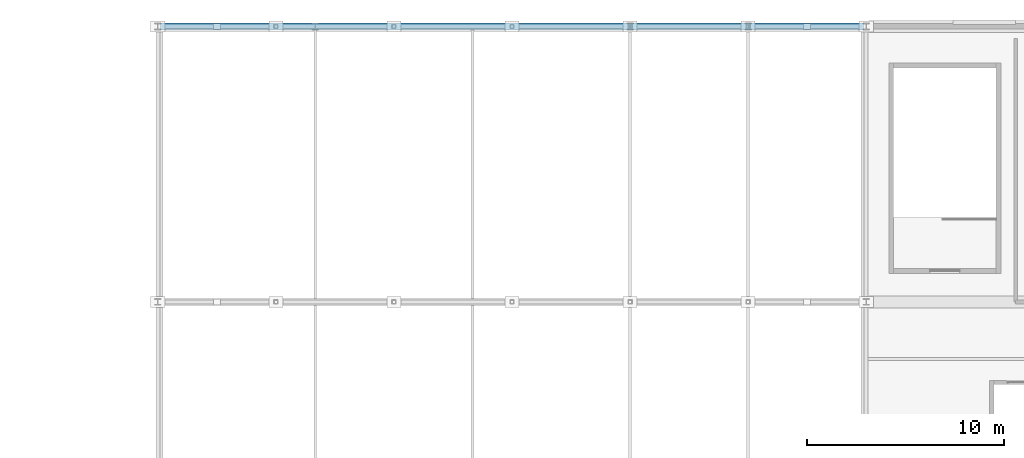
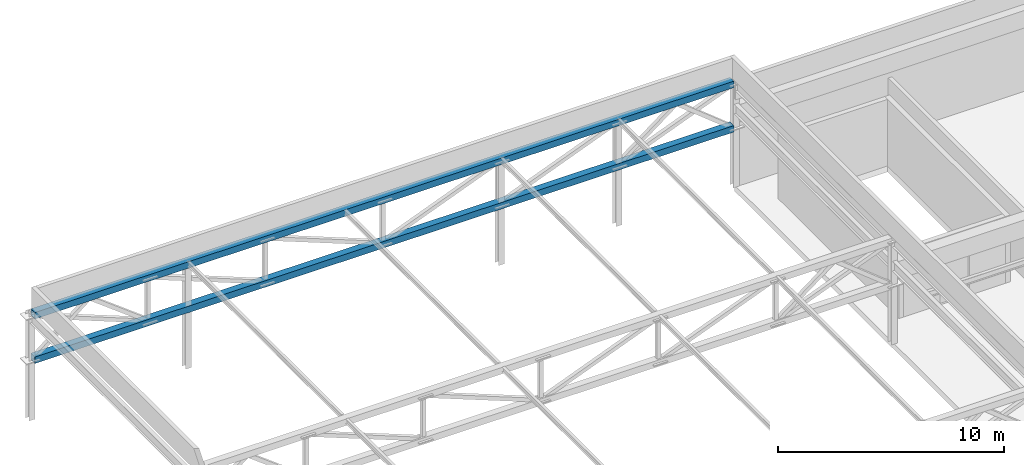
# One storey, part 74 of 122: 2 members.
"""IFC4 building model written with IfcOpenShell, lengths in metres."""

from ifc_helpers import new_model, si_unit, direction, frame, origin, origin_2d, place, context, subcontext, project, spatial, hollow_rectangle, extrude, material, material_profile, profile_set, type_object, element, save


model = new_model("IFC4")

# Units and contexts
model_context = context("Model", 3, precision=1e-05, world=origin(), true_north=direction((0.0, 1.0)))
body_context = subcontext(model_context, "Body", "Model", "MODEL_VIEW")
ifc_project = project(units=[si_unit("LENGTHUNIT", "METRE"), si_unit("AREAUNIT", "SQUARE_METRE"), si_unit("VOLUMEUNIT", "CUBIC_METRE"), si_unit("PLANEANGLEUNIT", "RADIAN"), si_unit("MASSUNIT", "GRAM", prefix="KILO")], contexts=[model_context])

# Site, building, storey
site_placement = place(None, origin())
site = spatial("IfcSite", under=ifc_project, at=site_placement, CompositionType="ELEMENT")
building_placement = place(site_placement, origin())
building = spatial("IfcBuilding", under=site, at=building_placement, Name="Cuetzalor Civic Arena", CompositionType="ELEMENT")
storey_placement = place(building_placement, frame((0.0, 0.0, 16.199951171875)))
storey = spatial("IfcBuildingStorey", under=building, at=storey_placement, Name="L03", CompositionType="ELEMENT", Elevation=16.199951171875)

# Members
ifc_material = material(Name="Steel S355", Category="steel")
ifc_material_profile = material_profile(ifc_material, hollow_rectangle(XDim=0.35009765625, YDim=0.35009765625, WallThickness=0.01611328125, at=origin_2d()), Name="RHS 350x350x16")
ifc_profile_set = profile_set([ifc_material_profile], Name="Steel S355")
member_type = type_object("IfcMemberType", Name="PrattTrussChord_RHS350", PredefinedType="CHORD", material=ifc_profile_set)
for number, where, z_axis, x_axis, name in (
    (1, (-71.860107421875, 75.5, 5.60009765625), (1.0, 0.0, 0.0), (0.0, 1.0, 0.0), "Practice Court Pratt Top Chord T3"),
    (2, (-71.860107421875, 75.5, 3.199951171875), (1.0, 0.0, 0.0), (0.0, 1.0, 0.0), "Practice Court Pratt Bottom Chord T3"),
):
    element("IfcMember", number, at=place(storey_placement, frame(where, z_axis=z_axis, x_axis=x_axis)), inside=storey, type_object=member_type, Name=name, PredefinedType="CHORD", context=body_context, shape_type="SweptSolid", body=[
        extrude(hollow_rectangle(XDim=0.35009765625, YDim=0.35009765625, WallThickness=0.01611328125, at=origin_2d()), origin(), (0.0, 0.0, 1.0), 35.72021484375),
    ])

save(model, "model.ifc")
